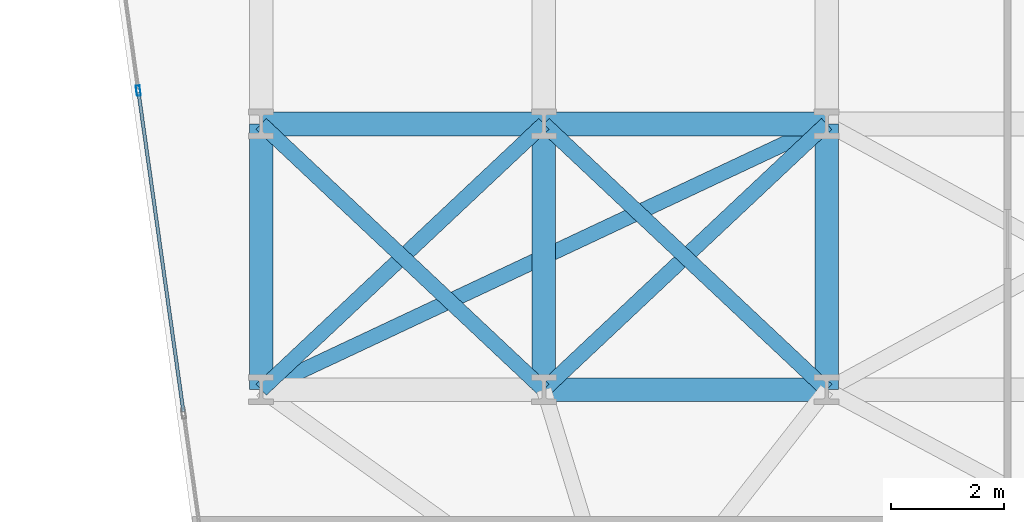
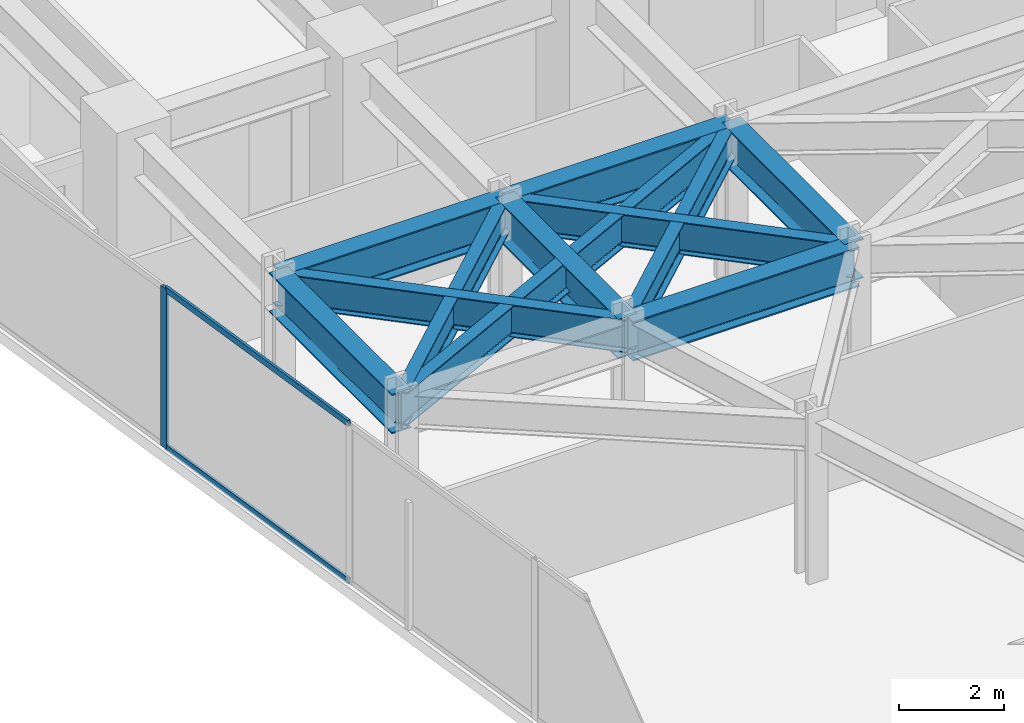
# One storey, part 8 of 24: 11 beams, 3 members, 1 element without a shape of its own.
"""IFC4 building model written with IfcOpenShell, lengths in metres."""

from ifc_helpers import new_model, si_unit, direction, frame, origin, origin_2d, place, context, subcontext, project, spatial, hollow_rectangle, i_section, extrude, material, layer, layer_set, material_profile, profile_set, type_object, element, aggregate, save


model = new_model("IFC4")

# Units and contexts
model_context = context("Model", 3, precision=1e-05, world=origin(), true_north=direction((0.0, 1.0)))
body_context = subcontext(model_context, "Body", "Model", "MODEL_VIEW")
ifc_project = project(units=[si_unit("LENGTHUNIT", "METRE"), si_unit("AREAUNIT", "SQUARE_METRE"), si_unit("VOLUMEUNIT", "CUBIC_METRE"), si_unit("PLANEANGLEUNIT", "RADIAN"), si_unit("MASSUNIT", "GRAM", prefix="KILO")], contexts=[model_context])

# Site, building, storey
site_placement = place(None, origin())
site = spatial("IfcSite", under=ifc_project, at=site_placement, CompositionType="ELEMENT")
building_placement = place(site_placement, origin())
building = spatial("IfcBuilding", under=site, at=building_placement, Name="Kravanh Interchange Tower", CompositionType="ELEMENT")
storey_placement = place(building_placement, frame((0.0, 0.0, 37.5)))
storey = spatial("IfcBuildingStorey", under=building, at=storey_placement, Name="L08", CompositionType="ELEMENT", Elevation=37.5)

# Curtain wall, members
ifc_material_1 = material(Name="Anodised Bronze Aluminium", Category="aluminium")
ifc_layer = layer(ifc_material_1, 0.179931640625)
ifc_layer_set = layer_set([ifc_layer], Name="Unitised Curtain Wall System CW-Z1 Lower Office")
curtain_wall_type = type_object("IfcCurtainWallType", Name="Unitised Curtain Wall System CW-Z1 Lower Office", PredefinedType="NOTDEFINED", material=ifc_layer_set)
curtain_wall_placement = place(storey_placement, origin())
curtain_wall = element("IfcCurtainWall", 1, at=curtain_wall_placement, inside=storey, type_object=curtain_wall_type, Name="L08 Unitised Curtain Wall CW-L08-01", PredefinedType="NOTDEFINED")
ifc_material_2 = material(Name="Anodised Bronze Aluminium", Category="aluminium")
ifc_material_profile_1 = material_profile(ifc_material_2, hollow_rectangle(XDim=0.070068359375, YDim=0.179931640625, WallThickness=0.00390625, at=origin_2d()), Name="ALU70X180X4")
ifc_profile_set_1 = profile_set([ifc_material_profile_1], Name="Anodised Bronze Aluminium")
member_type_1 = type_object("IfcMemberType", Name="Curtain Wall Mullion ALU70X180X4 Bronze", PredefinedType="MULLION", material=ifc_profile_set_1)
member_1_placement = place(storey_placement, frame((6.427490234375, 32.08935546875, 0.0), z_axis=(0.0, 0.0, 1.0), x_axis=(-0.990267585682, -0.139176538065, 0.0)))
member_1 = element("IfcMember", 2, at=member_1_placement, type_object=member_type_1, Name="CW-Z1 mullion 6", PredefinedType="MULLION", context=body_context, shape_type="SweptSolid", body=[
    extrude(hollow_rectangle(XDim=0.070068359375, YDim=0.179931640625, WallThickness=0.00390625, at=origin_2d()), origin(), (0.0, 0.0, 1.0), 3.739990234375),
])
ifc_material_3 = material(Name="Anodised Bronze Aluminium", Category="aluminium")
ifc_material_profile_2 = material_profile(ifc_material_3, hollow_rectangle(XDim=0.06005859375, YDim=0.139892578125, WallThickness=0.00390625, at=origin_2d()), Name="ALU60X140X4")
ifc_profile_set_2 = profile_set([ifc_material_profile_2], Name="Anodised Bronze Aluminium")
member_type_2 = type_object("IfcMemberType", Name="Curtain Wall Transom ALU60X140X4 Bronze", PredefinedType="USERDEFINED", material=ifc_profile_set_2)
member_2_placement = place(storey_placement, frame((7.22509765625, 26.41357421875, 0.030029296875), z_axis=(-0.139158957544, 0.990270056366, 0.0), x_axis=(-0.990270056366, -0.139158957544, 0.0)))
member_2 = element("IfcMember", 3, at=member_2_placement, type_object=member_type_2, Name="CW-Z1 transom 5.1", ObjectType="TRANSOM", PredefinedType="USERDEFINED", context=body_context, shape_type="SweptSolid", body=[
    extrude(hollow_rectangle(XDim=0.06005859375, YDim=0.139892578125, WallThickness=0.00390625, at=origin_2d()), origin(), (0.0, 0.0, 1.0), 5.696533203125),
])
member_3_placement = place(storey_placement, frame((7.22509765625, 26.41357421875, 3.7099609375), z_axis=(-0.139158957544, 0.990270056366, 0.0), x_axis=(-0.990270056366, -0.139158957544, 0.0)))
member_3 = element("IfcMember", 4, at=member_3_placement, type_object=member_type_2, Name="CW-Z1 transom 5.2", ObjectType="TRANSOM", PredefinedType="USERDEFINED", context=body_context, shape_type="SweptSolid", body=[
    extrude(hollow_rectangle(XDim=0.06005859375, YDim=0.139892578125, WallThickness=0.00390625, at=origin_2d()), origin(), (0.0, 0.0, 1.0), 5.696533203125),
])
aggregate(curtain_wall, [member_1, member_2, member_3])

# Beams
ifc_material_4 = material(Name="Structural Steel S355", Category="steel")
ifc_material_profile_3 = material_profile(ifc_material_4, i_section(OverallWidth=0.41796875, OverallDepth=0.927001953125, WebThickness=0.019287109375, FlangeThickness=0.031982421875, FilletRadius=0.028076171875, at=origin_2d()), Name="W36X231")
ifc_profile_set_3 = profile_set([ifc_material_profile_3], Name="Structural Steel S355")
beam_type_1 = type_object("IfcBeamType", Name="Floor Beam W36X231 Structural Steel S355", PredefinedType="BEAM", material=ifc_profile_set_3)
for number, where, z_axis, x_axis, name in (
    (5, (8.60009765625, 26.800048828125, 3.276611328125), (0.0, 1.0, 0.0), (-1.0, 0.0, 0.0), "L08 Primary Floor Girder 66"),
    (6, (13.60009765625, 26.800048828125, 3.276611328125), (0.0, 1.0, 0.0), (-1.0, 0.0, 0.0), "L08 Primary Floor Girder 70"),
):
    element("IfcBeam", number, at=place(storey_placement, frame(where, z_axis=z_axis, x_axis=x_axis)), inside=storey, type_object=beam_type_1, Name=name, PredefinedType="BEAM", context=body_context, shape_type="SweptSolid", body=[
        extrude(i_section(OverallWidth=0.41796875, OverallDepth=0.927001953125, WebThickness=0.019287109375, FlangeThickness=0.031982421875, FilletRadius=0.028076171875, at=origin_2d()), origin(), (0.0, 0.0, 1.0), 4.699951171875),
    ])
beam_1_placement = place(storey_placement, frame((13.60009765625, 26.800048828125, 3.276611328125), z_axis=(1.0, 0.0, 0.0), x_axis=(0.0, 1.0, 0.0)))
element("IfcBeam", 7, at=beam_1_placement, inside=storey, type_object=beam_type_1, Name="L08 Primary Floor Girder 71", PredefinedType="BEAM", context=body_context, shape_type="SweptSolid", body=[
    extrude(i_section(OverallWidth=0.41796875, OverallDepth=0.927001953125, WebThickness=0.019287109375, FlangeThickness=0.031982421875, FilletRadius=0.028076171875, at=origin_2d()), origin(), (0.0, 0.0, 1.0), 5.0),
])
beam_2_placement = place(storey_placement, frame((18.60009765625, 26.800048828125, 3.276611328125), z_axis=(0.0, 1.0, 0.0), x_axis=(-1.0, 0.0, 0.0)))
element("IfcBeam", 8, at=beam_2_placement, inside=storey, type_object=beam_type_1, Name="L08 Primary Floor Girder 74", PredefinedType="BEAM", context=body_context, shape_type="SweptSolid", body=[
    extrude(i_section(OverallWidth=0.41796875, OverallDepth=0.927001953125, WebThickness=0.019287109375, FlangeThickness=0.031982421875, FilletRadius=0.028076171875, at=origin_2d()), origin(), (0.0, 0.0, 1.0), 4.699951171875),
])
for number, where, z_axis, x_axis, name in (
    (9, (8.60009765625, 31.5, 3.276611328125), (1.0, 0.0, 0.0), (0.0, 1.0, 0.0), "L08 Primary Floor Girder 100"),
    (10, (13.60009765625, 31.5, 3.276611328125), (1.0, 0.0, 0.0), (0.0, 1.0, 0.0), "L08 Primary Floor Girder 101"),
):
    element("IfcBeam", number, at=place(storey_placement, frame(where, z_axis=z_axis, x_axis=x_axis)), inside=storey, type_object=beam_type_1, Name=name, PredefinedType="BEAM", context=body_context, shape_type="SweptSolid", body=[
        extrude(i_section(OverallWidth=0.41796875, OverallDepth=0.927001953125, WebThickness=0.019287109375, FlangeThickness=0.031982421875, FilletRadius=0.028076171875, at=origin_2d()), origin(), (0.0, 0.0, 1.0), 5.0),
    ])
ifc_material_5 = material(Name="Structural Steel S355", Category="steel")
ifc_material_profile_4 = material_profile(ifc_material_5, i_section(OverallWidth=0.26708984375, OverallDepth=0.761962890625, WebThickness=0.014404296875, FlangeThickness=0.021484375, FilletRadius=0.02490234375, at=origin_2d()), Name="W30X116")
ifc_profile_set_4 = profile_set([ifc_material_profile_4], Name="Structural Steel S355")
beam_type_2 = type_object("IfcBeamType", Name="Floor Spandrel W30X116 Structural Steel S355", PredefinedType="SPANDREL", material=ifc_profile_set_4)
beam_3_placement = place(storey_placement, frame((8.60009765625, 26.800048828125, 3.35888671875), z_axis=(0.728631219862, 0.684906231131, 0.0), x_axis=(-0.684906231131, 0.728631219862, 0.0)))
element("IfcBeam", 11, at=beam_3_placement, inside=storey, type_object=beam_type_2, Name="L08 Perimeter Spandrel 68", PredefinedType="SPANDREL", context=body_context, shape_type="SweptSolid", body=[
    extrude(i_section(OverallWidth=0.26708984375, OverallDepth=0.761962890625, WebThickness=0.014404296875, FlangeThickness=0.021484375, FilletRadius=0.02490234375, at=origin_2d()), origin(), (0.0, 0.0, 1.0), 6.862060546875),
])
beam_4_placement = place(storey_placement, frame((8.60009765625, 26.800048828125, 3.35888671875), z_axis=(0.905025402916, 0.425357520301, 0.0), x_axis=(-0.425357520301, 0.905025402916, 0.0)))
element("IfcBeam", 12, at=beam_4_placement, inside=storey, type_object=beam_type_2, Name="L08 Perimeter Spandrel 69", PredefinedType="SPANDREL", context=body_context, shape_type="SweptSolid", body=[
    extrude(i_section(OverallWidth=0.26708984375, OverallDepth=0.761962890625, WebThickness=0.014404296875, FlangeThickness=0.021484375, FilletRadius=0.02490234375, at=origin_2d()), origin(), (0.0, 0.0, 1.0), 11.04931640625),
])
for number, where, z_axis, x_axis, name in (
    (13, (13.60009765625, 26.800048828125, 3.35888671875), (-0.728631219862, 0.684906231131, 0.0), (-0.684906231131, -0.728631219862, 0.0), "L08 Perimeter Spandrel 72"),
    (14, (13.60009765625, 26.800048828125, 3.35888671875), (0.728631219862, 0.684906231131, 0.0), (-0.684906231131, 0.728631219862, 0.0), "L08 Perimeter Spandrel 73"),
    (15, (18.60009765625, 26.800048828125, 3.35888671875), (-0.728631219862, 0.684906231131, 0.0), (-0.684906231131, -0.728631219862, 0.0), "L08 Perimeter Spandrel 75"),
):
    element("IfcBeam", number, at=place(storey_placement, frame(where, z_axis=z_axis, x_axis=x_axis)), inside=storey, type_object=beam_type_2, Name=name, PredefinedType="SPANDREL", context=body_context, shape_type="SweptSolid", body=[
        extrude(i_section(OverallWidth=0.26708984375, OverallDepth=0.761962890625, WebThickness=0.014404296875, FlangeThickness=0.021484375, FilletRadius=0.02490234375, at=origin_2d()), origin(), (0.0, 0.0, 1.0), 6.862060546875),
    ])

save(model, "model.ifc")
